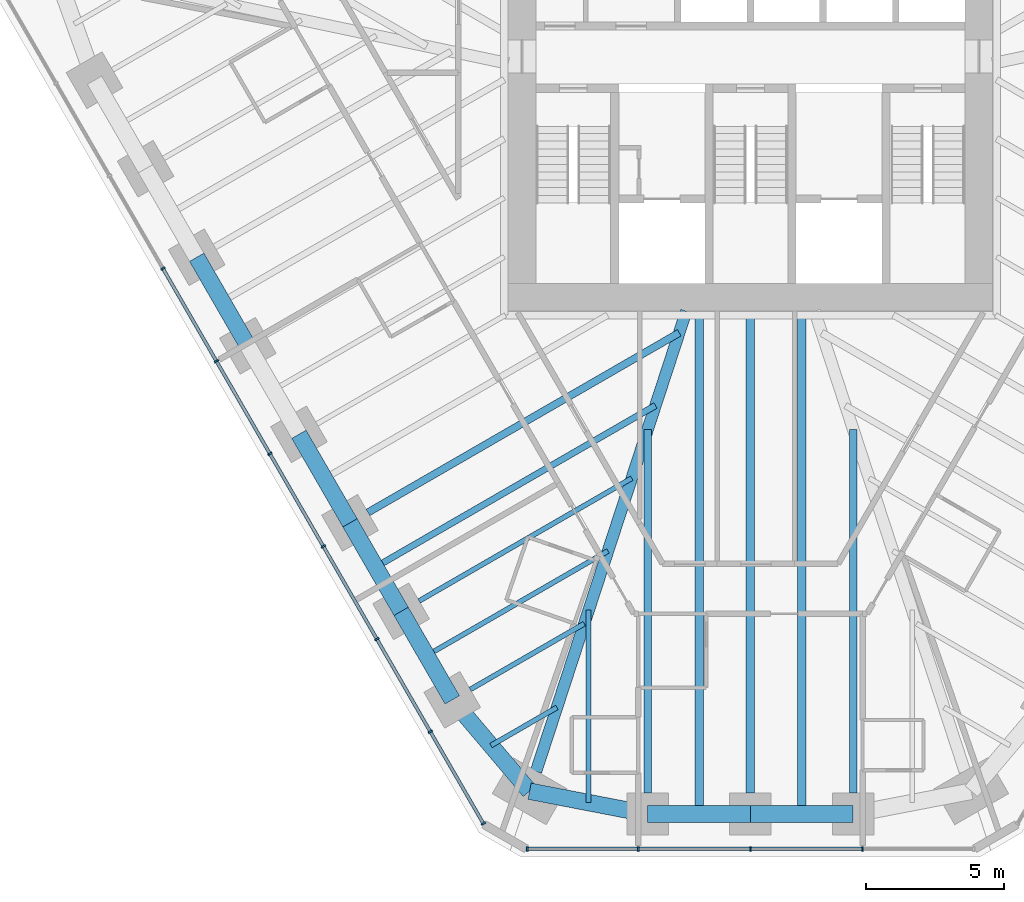
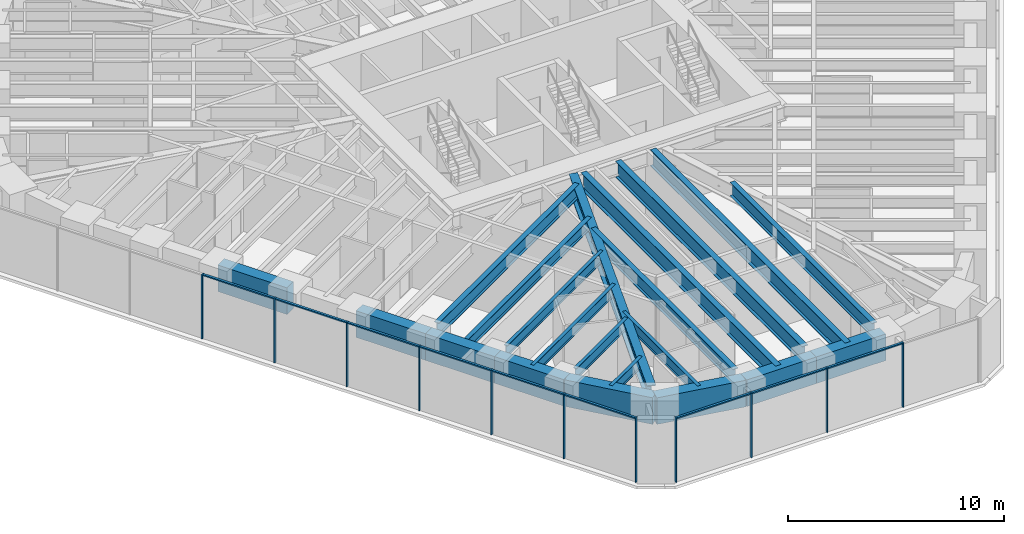
# One storey, part 2 of 16: 21 beams, 20 members, 2 elements without a shape of their own.
"""IFC4 building model written with IfcOpenShell, lengths in metres."""

from ifc_helpers import new_model, si_unit, direction, frame, origin, origin_2d, place, context, subcontext, project, spatial, rectangle, i_section, extrude, material, material_profile, profile_set, type_object, element, aggregate, save


model = new_model("IFC4")

# Units and contexts
model_context = context("Model", 3, precision=1e-05, world=origin(), true_north=direction((0.0, 1.0)))
body_context = subcontext(model_context, "Body", "Model", "MODEL_VIEW")
ifc_project = project(units=[si_unit("LENGTHUNIT", "METRE"), si_unit("AREAUNIT", "SQUARE_METRE"), si_unit("VOLUMEUNIT", "CUBIC_METRE"), si_unit("PLANEANGLEUNIT", "RADIAN"), si_unit("MASSUNIT", "GRAM", prefix="KILO")], contexts=[model_context])

# Site, building, storey
site_placement = place(None, origin())
site = spatial("IfcSite", under=ifc_project, at=site_placement, CompositionType="ELEMENT")
building_placement = place(site_placement, origin())
building = spatial("IfcBuilding", under=site, at=building_placement, Name="Sandreach Pilgrim Tower", CompositionType="ELEMENT")
storey_placement = place(building_placement, frame((0.0, 0.0, 206.0)))
storey = spatial("IfcBuildingStorey", under=building, at=storey_placement, Name="L51", CompositionType="ELEMENT", Elevation=206.0)

# Curtain wall, members
ifc_material_1 = material(Name="Aluminium framed curtain wall", Category="aluminium")
curtain_wall_type = type_object("IfcCurtainWallType", Name="Upper hotel tower curtain wall", PredefinedType="NOTDEFINED", material=ifc_material_1)
curtain_wall_1_placement = place(storey_placement, origin())
curtain_wall_1 = element("IfcCurtainWall", 1, at=curtain_wall_1_placement, inside=storey, type_object=curtain_wall_type, Name="CW-3 L51 S", PredefinedType="NOTDEFINED")
ifc_material_2 = material(Name="Aluminium extrusion", Category="aluminium")
ifc_material_profile_1 = material_profile(ifc_material_2, rectangle(XDim=0.06494140625, YDim=0.159912109375, at=origin_2d()), Name="CW-3M 65X160")
ifc_profile_set_1 = profile_set([ifc_material_profile_1], Name="Aluminium extrusion")
member_type_1 = type_object("IfcMemberType", Name="CW-3 mullion", PredefinedType="MULLION", material=ifc_profile_set_1)
member_1_placement = place(storey_placement, frame((4.048583984375, -26.525146484375, 0.0), z_axis=(0.0, 0.0, 1.0), x_axis=(-1.0, 0.0, 0.0)))
member_1 = element("IfcMember", 2, at=member_1_placement, type_object=member_type_1, Name="CW-3 mullion 2", PredefinedType="MULLION", context=body_context, shape_type="SweptSolid", body=[
    extrude(rectangle(XDim=0.06494140625, YDim=0.159912109375, at=origin_2d()), origin(), (0.0, 0.0, 1.0), 3.639892578125),
])
member_2_placement = place(storey_placement, frame((0.0, -26.525146484375, 0.0), z_axis=(0.0, 0.0, 1.0), x_axis=(-1.0, 0.0, 0.0)))
member_2 = element("IfcMember", 3, at=member_2_placement, type_object=member_type_1, Name="CW-3 mullion 3", PredefinedType="MULLION", context=body_context, shape_type="SweptSolid", body=[
    extrude(rectangle(XDim=0.06494140625, YDim=0.159912109375, at=origin_2d()), origin(), (0.0, 0.0, 1.0), 3.639892578125),
])
member_3_placement = place(storey_placement, frame((-4.048583984375, -26.525146484375, 0.0), z_axis=(0.0, 0.0, 1.0), x_axis=(-1.0, 0.0, 0.0)))
member_3 = element("IfcMember", 4, at=member_3_placement, type_object=member_type_1, Name="CW-3 mullion 4", PredefinedType="MULLION", context=body_context, shape_type="SweptSolid", body=[
    extrude(rectangle(XDim=0.06494140625, YDim=0.159912109375, at=origin_2d()), origin(), (0.0, 0.0, 1.0), 3.639892578125),
])
member_4_placement = place(storey_placement, frame((-8.06494140625, -26.525146484375, 0.0), z_axis=(0.0, 0.0, 1.0), x_axis=(-1.0, 0.0, 0.0)))
member_4 = element("IfcMember", 5, at=member_4_placement, type_object=member_type_1, Name="CW-3 mullion 5", PredefinedType="MULLION", context=body_context, shape_type="SweptSolid", body=[
    extrude(rectangle(XDim=0.06494140625, YDim=0.159912109375, at=origin_2d()), origin(), (0.0, 0.0, 1.0), 3.639892578125),
])

curtain_wall_2_placement = place(storey_placement, origin())
curtain_wall_2 = element("IfcCurtainWall", 6, at=curtain_wall_2_placement, inside=storey, type_object=curtain_wall_type, Name="CW-3 L51 SW", PredefinedType="NOTDEFINED")
member_5_placement = place(storey_placement, frame((-9.646484375, -25.612060546875, 0.0), z_axis=(0.0, 0.0, 1.0), x_axis=(-0.5, 0.866025403784, 0.0)))
member_5 = element("IfcMember", 7, at=member_5_placement, type_object=member_type_1, Name="CW-3 mullion 1", PredefinedType="MULLION", context=body_context, shape_type="SweptSolid", body=[
    extrude(rectangle(XDim=0.06494140625, YDim=0.159912109375, at=origin_2d()), origin(), (0.0, 0.0, 1.0), 3.639892578125),
])
member_6_placement = place(storey_placement, frame((-11.5625, -22.29345703125, 0.0), z_axis=(0.0, 0.0, 1.0), x_axis=(-0.5, 0.866025403784, 0.0)))
member_6 = element("IfcMember", 8, at=member_6_placement, type_object=member_type_1, Name="CW-3 mullion 2", PredefinedType="MULLION", context=body_context, shape_type="SweptSolid", body=[
    extrude(rectangle(XDim=0.06494140625, YDim=0.159912109375, at=origin_2d()), origin(), (0.0, 0.0, 1.0), 3.639892578125),
])
member_7_placement = place(storey_placement, frame((-13.49462890625, -18.94677734375, 0.0), z_axis=(0.0, 0.0, 1.0), x_axis=(-0.5, 0.866025403784, 0.0)))
member_7 = element("IfcMember", 9, at=member_7_placement, type_object=member_type_1, Name="CW-3 mullion 3", PredefinedType="MULLION", context=body_context, shape_type="SweptSolid", body=[
    extrude(rectangle(XDim=0.06494140625, YDim=0.159912109375, at=origin_2d()), origin(), (0.0, 0.0, 1.0), 3.639892578125),
])
member_8_placement = place(storey_placement, frame((-15.4267578125, -15.60009765625, 0.0), z_axis=(0.0, 0.0, 1.0), x_axis=(-0.5, 0.866025403784, 0.0)))
member_8 = element("IfcMember", 10, at=member_8_placement, type_object=member_type_1, Name="CW-3 mullion 4", PredefinedType="MULLION", context=body_context, shape_type="SweptSolid", body=[
    extrude(rectangle(XDim=0.06494140625, YDim=0.159912109375, at=origin_2d()), origin(), (0.0, 0.0, 1.0), 3.639892578125),
])
member_9_placement = place(storey_placement, frame((-17.359130859375, -12.25341796875, 0.0), z_axis=(0.0, 0.0, 1.0), x_axis=(-0.5, 0.866025403784, 0.0)))
member_9 = element("IfcMember", 11, at=member_9_placement, type_object=member_type_1, Name="CW-3 mullion 5", PredefinedType="MULLION", context=body_context, shape_type="SweptSolid", body=[
    extrude(rectangle(XDim=0.06494140625, YDim=0.159912109375, at=origin_2d()), origin(), (0.0, 0.0, 1.0), 3.639892578125),
])
member_10_placement = place(storey_placement, frame((-19.291259765625, -8.90673828125, 0.0), z_axis=(0.0, 0.0, 1.0), x_axis=(-0.5, 0.866025403784, 0.0)))
member_10 = element("IfcMember", 12, at=member_10_placement, type_object=member_type_1, Name="CW-3 mullion 6", PredefinedType="MULLION", context=body_context, shape_type="SweptSolid", body=[
    extrude(rectangle(XDim=0.06494140625, YDim=0.159912109375, at=origin_2d()), origin(), (0.0, 0.0, 1.0), 3.639892578125),
])
member_11_placement = place(storey_placement, frame((-21.223388671875, -5.56005859375, 0.0), z_axis=(0.0, 0.0, 1.0), x_axis=(-0.5, 0.866025403784, 0.0)))
member_11 = element("IfcMember", 13, at=member_11_placement, type_object=member_type_1, Name="CW-3 mullion 7", PredefinedType="MULLION", context=body_context, shape_type="SweptSolid", body=[
    extrude(rectangle(XDim=0.06494140625, YDim=0.159912109375, at=origin_2d()), origin(), (0.0, 0.0, 1.0), 3.639892578125),
])

# Member
ifc_material_3 = material(Name="Aluminium extrusion", Category="aluminium")
ifc_material_profile_2 = material_profile(ifc_material_3, rectangle(XDim=0.1201171875, YDim=0.070068359375, at=origin_2d()), Name="CW-3T 120X70")
ifc_profile_set_2 = profile_set([ifc_material_profile_2], Name="Aluminium extrusion")
member_type_2 = type_object("IfcMemberType", Name="CW-3 transom", PredefinedType="USERDEFINED", material=ifc_profile_set_2)
member_12_placement = place(storey_placement, frame((4.01611328125, -26.525146484375, 3.60498046875), z_axis=(-1.0, 0.0, 0.0), x_axis=(0.0, -1.0, 0.0)))
member_12 = element("IfcMember", 14, at=member_12_placement, type_object=member_type_2, Name="CW-3 head transom 2", ObjectType="TRANSOM", PredefinedType="USERDEFINED", context=body_context, shape_type="SweptSolid", body=[
    extrude(rectangle(XDim=0.1201171875, YDim=0.070068359375, at=origin_2d()), origin(), (0.0, 0.0, 1.0), 3.983642578125),
])

member_13_placement = place(storey_placement, frame((-0.032470703125, -26.525146484375, 3.60498046875), z_axis=(-1.0, 0.0, 0.0), x_axis=(0.0, -1.0, 0.0)))
member_13 = element("IfcMember", 15, at=member_13_placement, type_object=member_type_2, Name="CW-3 head transom 3", ObjectType="TRANSOM", PredefinedType="USERDEFINED", context=body_context, shape_type="SweptSolid", body=[
    extrude(rectangle(XDim=0.1201171875, YDim=0.070068359375, at=origin_2d()), origin(), (0.0, 0.0, 1.0), 3.983642578125),
])

member_14_placement = place(storey_placement, frame((-4.081298828125, -26.525146484375, 3.60498046875), z_axis=(-1.0, 0.0, 0.0), x_axis=(0.0, -1.0, 0.0)))
member_14 = element("IfcMember", 16, at=member_14_placement, type_object=member_type_2, Name="CW-3 head transom 4", ObjectType="TRANSOM", PredefinedType="USERDEFINED", context=body_context, shape_type="SweptSolid", body=[
    extrude(rectangle(XDim=0.1201171875, YDim=0.070068359375, at=origin_2d()), origin(), (0.0, 0.0, 1.0), 3.951171875),
])

aggregate(curtain_wall_1, [member_1, member_2, member_3, member_4, member_12, member_13, member_14])

member_15_placement = place(storey_placement, frame((-9.662841796875, -25.583740234375, 3.60498046875), z_axis=(-0.499973055223, 0.8660409598, 0.0), x_axis=(-0.8660409598, -0.499973055223, 0.0)))
member_15 = element("IfcMember", 17, at=member_15_placement, type_object=member_type_2, Name="CW-3 head transom 1", ObjectType="TRANSOM", PredefinedType="USERDEFINED", context=body_context, shape_type="SweptSolid", body=[
    extrude(rectangle(XDim=0.1201171875, YDim=0.070068359375, at=origin_2d()), origin(), (0.0, 0.0, 1.0), 3.766845703125),
])

member_16_placement = place(storey_placement, frame((-11.57861328125, -22.265380859375, 3.60498046875), z_axis=(-0.500022797313, 0.86601224135, 0.0), x_axis=(-0.86601224135, -0.500022797313, 0.0)))
member_16 = element("IfcMember", 18, at=member_16_placement, type_object=member_type_2, Name="CW-3 head transom 2", ObjectType="TRANSOM", PredefinedType="USERDEFINED", context=body_context, shape_type="SweptSolid", body=[
    extrude(rectangle(XDim=0.1201171875, YDim=0.070068359375, at=origin_2d()), origin(), (0.0, 0.0, 1.0), 3.799560546875),
])

member_17_placement = place(storey_placement, frame((-13.510986328125, -18.918701171875, 3.60498046875), z_axis=(-0.499974606132, 0.866040064445, 0.0), x_axis=(-0.866040064445, -0.499974606132, 0.0)))
member_17 = element("IfcMember", 19, at=member_17_placement, type_object=member_type_2, Name="CW-3 head transom 3", ObjectType="TRANSOM", PredefinedType="USERDEFINED", context=body_context, shape_type="SweptSolid", body=[
    extrude(rectangle(XDim=0.1201171875, YDim=0.070068359375, at=origin_2d()), origin(), (0.0, 0.0, 1.0), 3.799560546875),
])

member_18_placement = place(storey_placement, frame((-15.443115234375, -15.572021484375, 3.60498046875), z_axis=(-0.499974606132, 0.866040064445, 0.0), x_axis=(-0.866040064445, -0.499974606132, 0.0)))
member_18 = element("IfcMember", 20, at=member_18_placement, type_object=member_type_2, Name="CW-3 head transom 4", ObjectType="TRANSOM", PredefinedType="USERDEFINED", context=body_context, shape_type="SweptSolid", body=[
    extrude(rectangle(XDim=0.1201171875, YDim=0.070068359375, at=origin_2d()), origin(), (0.0, 0.0, 1.0), 3.799560546875),
])

member_19_placement = place(storey_placement, frame((-17.375244140625, -12.225341796875, 3.60498046875), z_axis=(-0.500022797313, 0.86601224135, 0.0), x_axis=(-0.86601224135, -0.500022797313, 0.0)))
member_19 = element("IfcMember", 21, at=member_19_placement, type_object=member_type_2, Name="CW-3 head transom 5", ObjectType="TRANSOM", PredefinedType="USERDEFINED", context=body_context, shape_type="SweptSolid", body=[
    extrude(rectangle(XDim=0.1201171875, YDim=0.070068359375, at=origin_2d()), origin(), (0.0, 0.0, 1.0), 3.799560546875),
])

member_20_placement = place(storey_placement, frame((-19.3076171875, -8.878662109375, 3.60498046875), z_axis=(-0.499974606132, 0.866040064445, 0.0), x_axis=(-0.866040064445, -0.499974606132, 0.0)))
member_20 = element("IfcMember", 22, at=member_20_placement, type_object=member_type_2, Name="CW-3 head transom 6", ObjectType="TRANSOM", PredefinedType="USERDEFINED", context=body_context, shape_type="SweptSolid", body=[
    extrude(rectangle(XDim=0.1201171875, YDim=0.070068359375, at=origin_2d()), origin(), (0.0, 0.0, 1.0), 3.799560546875),
])

aggregate(curtain_wall_2, [member_5, member_6, member_7, member_8, member_9, member_10, member_11, member_15, member_16, member_17, member_18, member_19, member_20])

# Beams
ifc_material_4 = material(Name="Steel ASTM A992 Grade 50", Category="steel")
ifc_material_profile_3 = material_profile(ifc_material_4, i_section(OverallWidth=0.421630859375, OverallDepth=0.95751953125, WebThickness=0.02587890625, FlangeThickness=0.046875, at=origin_2d()), Name="W36X330")
ifc_profile_set_3 = profile_set([ifc_material_profile_3], Name="Steel ASTM A992 Grade 50")
beam_type_1 = type_object("IfcBeamType", Name="Corner girder W36X330", PredefinedType="BEAM", material=ifc_profile_set_3)
beam_1_placement = place(storey_placement, frame((-7.745849609375, -23.72900390625, 3.1611328125), z_axis=(0.310317870968, 0.950632851819, 0.0), x_axis=(-0.950632851819, 0.310317870968, 0.0)))
element("IfcBeam", 23, at=beam_1_placement, inside=storey, type_object=beam_type_1, Name="BM L51 CG26", PredefinedType="BEAM", context=body_context, shape_type="SweptSolid", body=[
    extrude(i_section(OverallWidth=0.421630859375, OverallDepth=0.95751953125, WebThickness=0.02587890625, FlangeThickness=0.046875, at=origin_2d()), origin(), (0.0, 0.0, 1.0), 17.492431640625),
])
ifc_material_5 = material(Name="Steel ASTM A992 Grade 50", Category="steel")
ifc_material_profile_4 = material_profile(ifc_material_5, i_section(OverallWidth=0.1787109375, OverallDepth=0.60205078125, WebThickness=0.010986328125, FlangeThickness=0.014892578125, at=origin_2d()), Name="W24X62")
ifc_profile_set_4 = profile_set([ifc_material_profile_4], Name="Steel ASTM A992 Grade 50")
beam_type_2 = type_object("IfcBeamType", Name="Floor beam W24X62", PredefinedType="BEAM", material=ifc_profile_set_4)
beam_2_placement = place(storey_placement, frame((-10.12255859375, -20.767333984375, 3.339111328125), z_axis=(0.86603347311, 0.499986023258, 0.0), x_axis=(-0.499986023258, 0.86603347311, 0.0)))
element("IfcBeam", 24, at=beam_2_placement, inside=storey, type_object=beam_type_2, Name="BM L51 F27", PredefinedType="BEAM", context=body_context, shape_type="SweptSolid", body=[
    extrude(i_section(OverallWidth=0.1787109375, OverallDepth=0.60205078125, WebThickness=0.010986328125, FlangeThickness=0.014892578125, at=origin_2d()), origin(), (0.0, 0.0, 1.0), 4.757568359375),
])
beam_3_placement = place(storey_placement, frame((-11.96875, -17.569580078125, 3.339111328125), z_axis=(0.866020566617, 0.500008378126, 0.0), x_axis=(-0.500008378126, 0.866020566617, 0.0)))
element("IfcBeam", 25, at=beam_3_placement, inside=storey, type_object=beam_type_2, Name="BM L51 F28", PredefinedType="BEAM", context=body_context, shape_type="SweptSolid", body=[
    extrude(i_section(OverallWidth=0.1787109375, OverallDepth=0.60205078125, WebThickness=0.010986328125, FlangeThickness=0.014892578125, at=origin_2d()), origin(), (0.0, 0.0, 1.0), 8.869384765625),
])
beam_4_placement = place(storey_placement, frame((-5.844482421875, -24.853515625, 3.339111328125), z_axis=(0.0, 1.0, 0.0), x_axis=(-1.0, 0.0, 0.0)))
element("IfcBeam", 26, at=beam_4_placement, inside=storey, type_object=beam_type_2, Name="BM L51 FM25", PredefinedType="BEAM", context=body_context, shape_type="SweptSolid", body=[
    extrude(i_section(OverallWidth=0.1787109375, OverallDepth=0.60205078125, WebThickness=0.010986328125, FlangeThickness=0.014892578125, at=origin_2d()), origin(), (0.0, 0.0, 1.0), 6.94921875),
])
beam_5_placement = place(storey_placement, frame((-9.375244140625, -22.7919921875, 3.339111328125), z_axis=(0.866046803606, 0.49996293259, 0.0), x_axis=(-0.49996293259, 0.866046803606, 0.0)))
element("IfcBeam", 27, at=beam_5_placement, inside=storey, type_object=beam_type_2, Name="BM L51 FM26", PredefinedType="BEAM", context=body_context, shape_type="SweptSolid", body=[
    extrude(i_section(OverallWidth=0.1787109375, OverallDepth=0.60205078125, WebThickness=0.010986328125, FlangeThickness=0.014892578125, at=origin_2d()), origin(), (0.0, 0.0, 1.0), 2.753662109375),
])
beam_6_placement = place(storey_placement, frame((-11.6953125, -19.54345703125, 3.339111328125), z_axis=(0.866029704776, 0.49999255039, 0.0), x_axis=(-0.49999255039, 0.866029704776, 0.0)))
element("IfcBeam", 28, at=beam_6_placement, inside=storey, type_object=beam_type_2, Name="BM L51 FM27", PredefinedType="BEAM", context=body_context, shape_type="SweptSolid", body=[
    extrude(i_section(OverallWidth=0.1787109375, OverallDepth=0.60205078125, WebThickness=0.010986328125, FlangeThickness=0.014892578125, at=origin_2d()), origin(), (0.0, 0.0, 1.0), 7.5634765625),
])
ifc_material_6 = material(Name="Steel ASTM A992 Grade 50", Category="steel")
ifc_material_profile_5 = material_profile(ifc_material_6, i_section(OverallWidth=0.23046875, OverallDepth=0.6171875, WebThickness=0.01318359375, FlangeThickness=0.022216796875, at=origin_2d()), Name="W24X94")
ifc_profile_set_5 = profile_set([ifc_material_profile_5], Name="Steel ASTM A992 Grade 50")
beam_type_3 = type_object("IfcBeamType", Name="Floor beam W24X94", PredefinedType="BEAM", material=ifc_profile_set_5)
beam_7_placement = place(storey_placement, frame((-13.54150390625, -16.345703125, 3.331298828125), z_axis=(0.866026454974, 0.499998179282, 0.0), x_axis=(-0.499998179282, 0.866026454974, 0.0)))
element("IfcBeam", 29, at=beam_7_placement, inside=storey, type_object=beam_type_3, Name="BM L51 FM28", PredefinedType="BEAM", context=body_context, shape_type="SweptSolid", body=[
    extrude(i_section(OverallWidth=0.23046875, OverallDepth=0.6171875, WebThickness=0.01318359375, FlangeThickness=0.022216796875, at=origin_2d()), origin(), (0.0, 0.0, 1.0), 11.67578125),
])
ifc_material_7 = material(Name="Steel ASTM A992 Grade 50", Category="steel")
ifc_material_profile_6 = material_profile(ifc_material_7, i_section(OverallWidth=0.2666015625, OverallDepth=0.761962890625, WebThickness=0.014404296875, FlangeThickness=0.021484375, at=origin_2d()), Name="W30X116")
ifc_profile_set_6 = profile_set([ifc_material_profile_6], Name="Steel ASTM A992 Grade 50")
beam_type_4 = type_object("IfcBeamType", Name="Floor beam W30X116", PredefinedType="BEAM", material=ifc_profile_set_6)
for number, where, z_axis, x_axis, name in (
    (30, (3.71044921875, -24.51513671875, 3.259033203125), (0.0, 1.0, 0.0), (-1.0, 0.0, 0.0), "BM L51 F23"),
    (31, (-3.71044921875, -24.51513671875, 3.259033203125), (0.0, 1.0, 0.0), (-1.0, 0.0, 0.0), "BM L51 F25"),
):
    element("IfcBeam", number, at=place(storey_placement, frame(where, z_axis=z_axis, x_axis=x_axis)), inside=storey, type_object=beam_type_4, Name=name, PredefinedType="BEAM", context=body_context, shape_type="SweptSolid", body=[
        extrude(i_section(OverallWidth=0.2666015625, OverallDepth=0.761962890625, WebThickness=0.014404296875, FlangeThickness=0.021484375, at=origin_2d()), origin(), (0.0, 0.0, 1.0), 13.1484375),
    ])
beam_8_placement = place(storey_placement, frame((-13.815185546875, -14.371826171875, 3.259033203125), z_axis=(0.866025240073, 0.500000283557, 0.0), x_axis=(-0.500000283557, 0.866025240073, 0.0)))
element("IfcBeam", 32, at=beam_8_placement, inside=storey, type_object=beam_type_4, Name="BM L51 F29", PredefinedType="BEAM", context=body_context, shape_type="SweptSolid", body=[
    extrude(i_section(OverallWidth=0.2666015625, OverallDepth=0.761962890625, WebThickness=0.014404296875, FlangeThickness=0.021484375, at=origin_2d()), origin(), (0.0, 0.0, 1.0), 12.98193359375),
])
ifc_material_8 = material(Name="Steel ASTM A992 Grade 50", Category="steel")
ifc_material_profile_7 = material_profile(ifc_material_8, i_section(OverallWidth=0.3046875, OverallDepth=0.914306640625, WebThickness=0.0166015625, FlangeThickness=0.02587890625, at=origin_2d()), Name="W36X160")
ifc_profile_set_7 = profile_set([ifc_material_profile_7], Name="Steel ASTM A992 Grade 50")
beam_type_5 = type_object("IfcBeamType", Name="Floor beam W36X160", PredefinedType="BEAM", material=ifc_profile_set_7)
beam_9_placement = place(storey_placement, frame((0.0, -24.51513671875, 3.182861328125), z_axis=(0.0, 1.0, 0.0), x_axis=(-1.0, 0.0, 0.0)))
element("IfcBeam", 33, at=beam_9_placement, inside=storey, type_object=beam_type_5, Name="BM L51 F24", PredefinedType="BEAM", context=body_context, shape_type="SweptSolid", body=[
    extrude(i_section(OverallWidth=0.3046875, OverallDepth=0.914306640625, WebThickness=0.0166015625, FlangeThickness=0.02587890625, at=origin_2d()), origin(), (0.0, 0.0, 1.0), 17.271728515625),
])
for number, where, z_axis, x_axis, name in (
    (34, (1.855224609375, -25.26513671875, 3.182861328125), (0.0, 1.0, 0.0), (-1.0, 0.0, 0.0), "BM L51 FM23"),
    (35, (-1.855224609375, -25.26513671875, 3.182861328125), (0.0, 1.0, 0.0), (-1.0, 0.0, 0.0), "BM L51 FM24"),
):
    element("IfcBeam", number, at=place(storey_placement, frame(where, z_axis=z_axis, x_axis=x_axis)), inside=storey, type_object=beam_type_5, Name=name, PredefinedType="BEAM", context=body_context, shape_type="SweptSolid", body=[
        extrude(i_section(OverallWidth=0.3046875, OverallDepth=0.914306640625, WebThickness=0.0166015625, FlangeThickness=0.02587890625, at=origin_2d()), origin(), (0.0, 0.0, 1.0), 18.021728515625),
    ])
ifc_material_9 = material(Name="Concrete 10000 psi", Category="concrete")
ifc_material_profile_8 = material_profile(ifc_material_9, rectangle(XDim=0.60009765625, YDim=1.5, at=origin_2d()), Name="RC600X1500")
ifc_profile_set_8 = profile_set([ifc_material_profile_8], Name="Concrete 10000 psi")
beam_type_6 = type_object("IfcBeamType", Name="Spandrel beam RC600X1500", PredefinedType="SPANDREL", material=ifc_profile_set_8)
for number, where, z_axis, x_axis, name in (
    (36, (3.71044921875, -25.26513671875, 2.889892578125), (-1.0, 0.0, 0.0), (0.0, -1.0, 0.0), "BM L51 SP23"),
    (37, (0.0, -25.26513671875, 2.889892578125), (-1.0, 0.0, 0.0), (0.0, -1.0, 0.0), "BM L51 SP24"),
):
    element("IfcBeam", number, at=place(storey_placement, frame(where, z_axis=z_axis, x_axis=x_axis)), inside=storey, type_object=beam_type_6, Name=name, PredefinedType="SPANDREL", context=body_context, shape_type="SweptSolid", body=[
        extrude(rectangle(XDim=0.60009765625, YDim=1.5, at=origin_2d()), origin(), (0.0, 0.0, 1.0), 3.71044921875),
    ])
beam_10_placement = place(storey_placement, frame((-3.71044921875, -25.26513671875, 2.889892578125), z_axis=(-0.981901333807, 0.18939316426, 0.0), x_axis=(-0.18939316426, -0.981901333807, 0.0)))
element("IfcBeam", 38, at=beam_10_placement, inside=storey, type_object=beam_type_6, Name="BM L51 SP25", PredefinedType="SPANDREL", context=body_context, shape_type="SweptSolid", body=[
    extrude(rectangle(XDim=0.60009765625, YDim=1.5, at=origin_2d()), origin(), (0.0, 0.0, 1.0), 4.3466796875),
])
beam_11_placement = place(storey_placement, frame((-7.978515625, -24.44189453125, 2.889892578125), z_axis=(-0.646180160755, 0.76318490541, 0.0), x_axis=(-0.76318490541, -0.646180160755, 0.0)))
element("IfcBeam", 39, at=beam_11_placement, inside=storey, type_object=beam_type_6, Name="BM L51 SP26", PredefinedType="SPANDREL", context=body_context, shape_type="SweptSolid", body=[
    extrude(rectangle(XDim=0.60009765625, YDim=1.5, at=origin_2d()), origin(), (0.0, 0.0, 1.0), 4.323486328125),
])
for number, where, z_axis, x_axis, name in (
    (40, (-10.772216796875, -21.142333984375, 2.889892578125), (-0.499993363642, 0.866029235253, 0.0), (-0.866029235253, -0.499993363642, 0.0), "BM L51 SP27"),
    (41, (-12.618408203125, -17.944580078125, 2.889892578125), (-0.499993363642, 0.866029235253, 0.0), (-0.866029235253, -0.499993363642, 0.0), "BM L51 SP28"),
):
    element("IfcBeam", number, at=place(storey_placement, frame(where, z_axis=z_axis, x_axis=x_axis)), inside=storey, type_object=beam_type_6, Name=name, PredefinedType="SPANDREL", context=body_context, shape_type="SweptSolid", body=[
        extrude(rectangle(XDim=0.60009765625, YDim=1.5, at=origin_2d()), origin(), (0.0, 0.0, 1.0), 3.6923828125),
    ])
beam_12_placement = place(storey_placement, frame((-14.464599609375, -14.746826171875, 2.889892578125), z_axis=(-0.49996473481, 0.866045763194, 0.0), x_axis=(-0.866045763194, -0.49996473481, 0.0)))
element("IfcBeam", 42, at=beam_12_placement, inside=storey, type_object=beam_type_6, Name="BM L51 SP29", PredefinedType="SPANDREL", context=body_context, shape_type="SweptSolid", body=[
    extrude(rectangle(XDim=0.60009765625, YDim=1.5, at=origin_2d()), origin(), (0.0, 0.0, 1.0), 3.692626953125),
])
beam_13_placement = place(storey_placement, frame((-18.1572265625, -8.35107421875, 2.889892578125), z_axis=(-0.499993363642, 0.866029235253, 0.0), x_axis=(-0.866029235253, -0.499993363642, 0.0)))
element("IfcBeam", 43, at=beam_13_placement, inside=storey, type_object=beam_type_6, Name="BM L51 SP31", PredefinedType="SPANDREL", context=body_context, shape_type="SweptSolid", body=[
    extrude(rectangle(XDim=0.60009765625, YDim=1.5, at=origin_2d()), origin(), (0.0, 0.0, 1.0), 3.6923828125),
])

save(model, "model.ifc")
